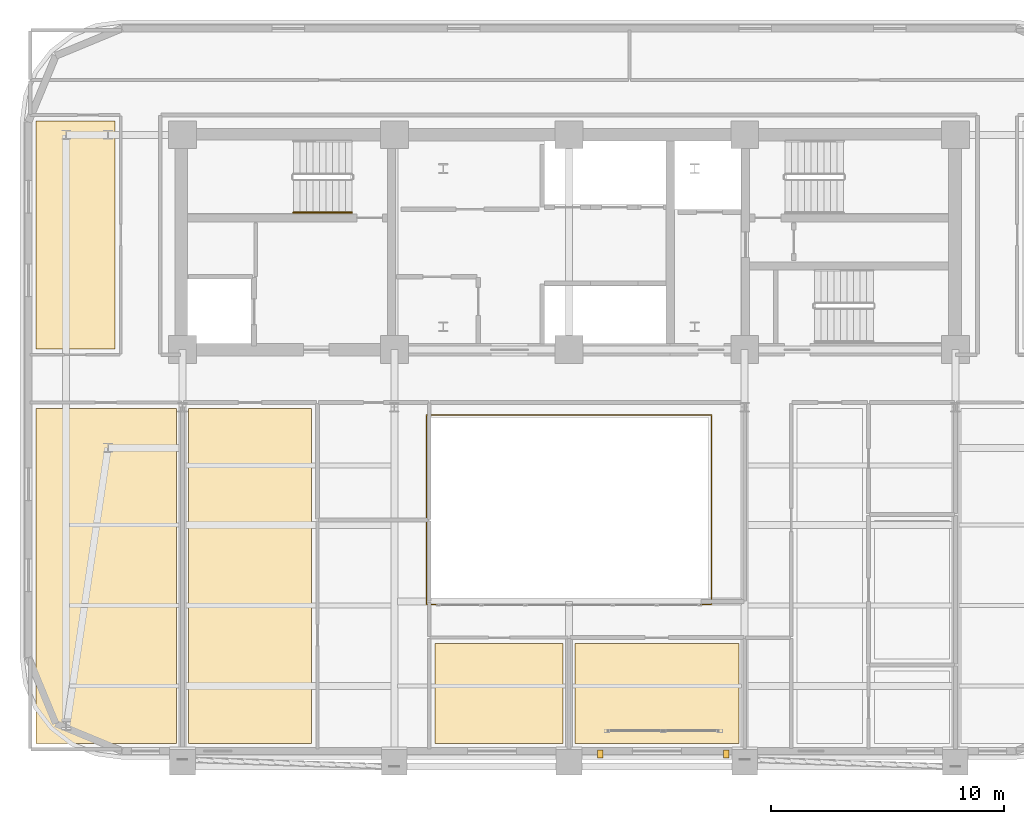
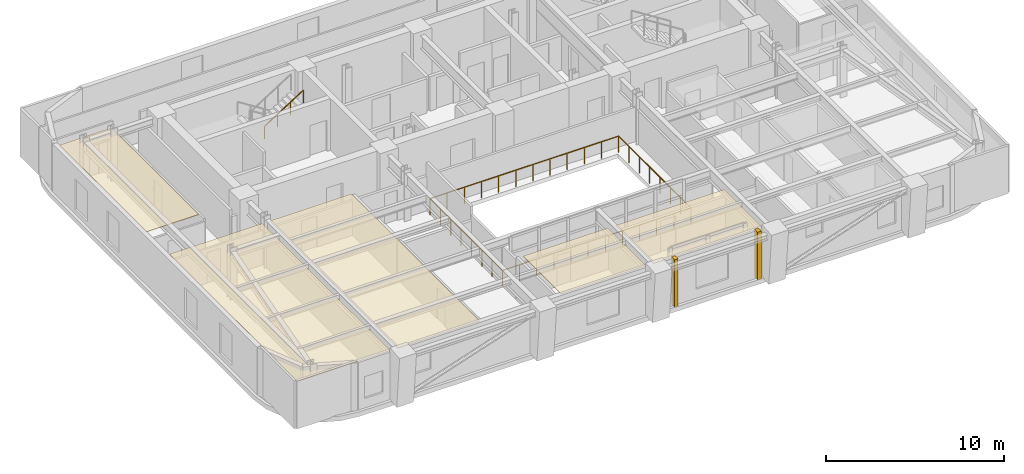
# One storey, part 10 of 13: 7 coverings, 2 railings.
"""IFC4 building model written with IfcOpenShell, lengths in metres."""

from ifc_helpers import new_model, si_unit, direction, frame, origin, origin_2d, place, context, subcontext, project, spatial, polyline, rectangle, outline, extrude, material, layer, layer_set, type_object, element, save


model = new_model("IFC4")

# Units and contexts
model_context = context("Model", 3, precision=1e-05, world=origin(), true_north=direction((0.0, 1.0)))
body_context = subcontext(model_context, "Body", "Model", "MODEL_VIEW")
ifc_project = project(units=[si_unit("LENGTHUNIT", "METRE"), si_unit("AREAUNIT", "SQUARE_METRE"), si_unit("VOLUMEUNIT", "CUBIC_METRE"), si_unit("PLANEANGLEUNIT", "RADIAN"), si_unit("MASSUNIT", "GRAM", prefix="KILO")], contexts=[model_context])

# Site, building, storey
site_placement = place(None, origin())
site = spatial("IfcSite", under=ifc_project, at=site_placement, CompositionType="ELEMENT")
building_placement = place(site_placement, origin())
building = spatial("IfcBuilding", under=site, at=building_placement, Name="Zarnavel Station Tower", CompositionType="ELEMENT")
storey_placement = place(building_placement, frame((0.0, 0.0, 176.75)))
storey = spatial("IfcBuildingStorey", under=building, at=storey_placement, Name="L48", CompositionType="ELEMENT", Elevation=176.75)

# Coverings
ifc_material_1 = material(Name="Perforated Gypsum and Mineral-Wool Acoustic Ceiling", Category="concrete")
ifc_layer = layer(ifc_material_1, 0.0400390625)
ifc_layer_set = layer_set([ifc_layer], Name="COV_CEIL_ACOUSTIC")
covering_type_1 = type_object("IfcCoveringType", Name="COV_CEIL_ACOUSTIC", PredefinedType="CEILING", material=ifc_layer_set)
covering_1_placement = place(storey_placement, frame((0.0, 0.0, 2.969970703125)))
element("IfcCovering", 1, at=covering_1_placement, inside=storey, type_object=covering_type_1, Name="L48 FNW Acoustic Ceiling", PredefinedType="CEILING", context=body_context, shape_type="SweptSolid", body=[
    extrude(outline(polyline([(5.909912109375, 27.85009765625), (9.300048828125, 27.85009765625), (9.300048828125, 37.64990234375), (5.909912109375, 37.64990234375), (5.909912109375, 27.85009765625)])), origin(), (0.0, 0.0, 1.0), 0.0400390625),
])
covering_2_placement = place(storey_placement, frame((0.0, 0.0, 2.969970703125)))
element("IfcCovering", 2, at=covering_2_placement, inside=storey, type_object=covering_type_1, Name="L48 L47SPA Acoustic Ceiling", PredefinedType="CEILING", context=body_context, shape_type="SweptSolid", body=[
    extrude(outline(polyline([(5.909912109375, 10.909912109375), (11.949951171875, 10.909912109375), (11.949951171875, 25.300048828125), (5.909912109375, 25.300048828125), (5.909912109375, 10.909912109375)])), origin(), (0.0, 0.0, 1.0), 0.0400390625),
])
covering_3_placement = place(storey_placement, frame((0.0, 0.0, 2.969970703125)))
element("IfcCovering", 3, at=covering_3_placement, inside=storey, type_object=covering_type_1, Name="L48 L47TRM Acoustic Ceiling", PredefinedType="CEILING", context=body_context, shape_type="SweptSolid", body=[
    extrude(outline(polyline([(12.449951171875, 10.909912109375), (17.75, 10.909912109375), (17.75, 25.300048828125), (12.449951171875, 25.300048828125), (12.449951171875, 10.909912109375)])), origin(), (0.0, 0.0, 1.0), 0.0400390625),
])
covering_4_placement = place(storey_placement, frame((0.0, 0.0, 2.969970703125)))
element("IfcCovering", 4, at=covering_4_placement, inside=storey, type_object=covering_type_1, Name="L48 L47DIN Acoustic Ceiling", PredefinedType="CEILING", context=body_context, shape_type="SweptSolid", body=[
    extrude(outline(polyline([(23.050048828125, 10.909912109375), (28.550048828125, 10.909912109375), (28.550048828125, 15.199951171875), (23.050048828125, 15.199951171875), (23.050048828125, 10.909912109375)])), origin(), (0.0, 0.0, 1.0), 0.0400390625),
])
covering_5_placement = place(storey_placement, frame((0.0, 0.0, 2.969970703125)))
element("IfcCovering", 5, at=covering_5_placement, inside=storey, type_object=covering_type_1, Name="L48 L47KIT Acoustic Ceiling", PredefinedType="CEILING", context=body_context, shape_type="SweptSolid", body=[
    extrude(outline(polyline([(29.050048828125, 10.909912109375), (36.10009765625, 10.909912109375), (36.10009765625, 15.199951171875), (29.050048828125, 15.199951171875), (29.050048828125, 10.909912109375)])), origin(), (0.0, 0.0, 1.0), 0.0400390625),
])
ifc_material_2 = material(Name="Precast concrete C45/55 (Pale Travertine Slab Band)", Category="masonry")
covering_type_2 = type_object("IfcCoveringType", Name="COV_TRAVERTINE_BAND", PredefinedType="CLADDING", material=ifc_material_2)
for number, where, z_axis, x_axis, name in (
    (6, (30.14990234375, 10.449951171875, 0.0), (0.0, 0.0, 1.0), (1.0, 0.0, 0.0), "L48 Travertine Portal Loggia Vertical Jog West"),
    (7, (35.550048828125, 10.449951171875, 0.0), (0.0, 0.0, 1.0), (1.0, 0.0, 0.0), "L48 Travertine Portal Loggia Vertical Jog East"),
):
    element("IfcCovering", number, at=place(storey_placement, frame(where, z_axis=z_axis, x_axis=x_axis)), inside=storey, type_object=covering_type_2, Name=name, PredefinedType="CLADDING", context=body_context, shape_type="SweptSolid", body=[
        extrude(rectangle(XDim=0.239990234375, YDim=0.360107421875, at=origin_2d()), origin(), (0.0, 0.0, 1.0), 3.2900390625),
    ])

# Railings
ifc_material_3 = material(Name="Painted Steel S355J2 Balustrade", Category="steel")
railing_type_1 = type_object("IfcRailingType", Name="GR_INT_1150", PredefinedType="GUARDRAIL", material=ifc_material_3)
railing_1_placement = place(storey_placement, frame((22.679931640625, 16.8798828125, 0.0)))
element("IfcRailing", 8, at=railing_1_placement, inside=storey, type_object=railing_type_1, Name="L48 Atrium Void Guardrail", PredefinedType="GUARDRAIL", context=body_context, shape_type="SweptSolid", body=[
    extrude(rectangle(XDim=0.048095703125, YDim=0.048095703125, at=origin_2d()), frame((0.001953125, 0.0, 1.1259765625), z_axis=(1.0, 0.0, 0.0), x_axis=(0.0, 1.0, 0.0)), (0.0, 0.0, 1.0), 12.236083984375),
    extrude(rectangle(XDim=0.048095703125, YDim=0.048095703125, at=origin_2d()), frame((12.239990234375, 0.001953125, 1.1259765625), z_axis=(0.0, 1.0, 0.0), x_axis=(-1.0, 0.0, 0.0)), (0.0, 0.0, 1.0), 8.13623046875),
    extrude(rectangle(XDim=0.048095703125, YDim=0.048095703125, at=origin_2d()), frame((12.238037109375, 8.14013671875, 1.1259765625), z_axis=(-1.0, 0.0, 0.0), x_axis=(0.0, -1.0, 0.0)), (0.0, 0.0, 1.0), 12.236083984375),
    extrude(rectangle(XDim=0.048095703125, YDim=0.048095703125, at=origin_2d()), frame((0.0, 8.13818359375, 1.1259765625), z_axis=(0.0, -1.0, 0.0), x_axis=(1.0, 0.0, 0.0)), (0.0, 0.0, 1.0), 8.13623046875),
    extrude(rectangle(XDim=0.0419921875, YDim=0.0419921875, at=origin_2d()), origin(), (0.0, 0.0, 1.0), 1.101806640625),
    extrude(rectangle(XDim=0.0419921875, YDim=0.0419921875, at=origin_2d()), frame((1.11279296875, 0.0, 0.0)), (0.0, 0.0, 1.0), 1.101806640625),
    extrude(rectangle(XDim=0.0419921875, YDim=0.0419921875, at=origin_2d()), frame((2.225341796875, 0.0, 0.0)), (0.0, 0.0, 1.0), 1.101806640625),
    extrude(rectangle(XDim=0.0419921875, YDim=0.0419921875, at=origin_2d()), frame((3.338134765625, 0.0, 0.0)), (0.0, 0.0, 1.0), 1.101806640625),
    extrude(rectangle(XDim=0.0419921875, YDim=0.0419921875, at=origin_2d()), frame((4.450927734375, 0.0, 0.0)), (0.0, 0.0, 1.0), 1.101806640625),
    extrude(rectangle(XDim=0.0419921875, YDim=0.0419921875, at=origin_2d()), frame((5.563720703125, 0.0, 0.0)), (0.0, 0.0, 1.0), 1.101806640625),
    extrude(rectangle(XDim=0.0419921875, YDim=0.0419921875, at=origin_2d()), frame((6.67626953125, 0.0, 0.0)), (0.0, 0.0, 1.0), 1.101806640625),
    extrude(rectangle(XDim=0.0419921875, YDim=0.0419921875, at=origin_2d()), frame((7.7890625, 0.0, 0.0)), (0.0, 0.0, 1.0), 1.101806640625),
    extrude(rectangle(XDim=0.0419921875, YDim=0.0419921875, at=origin_2d()), frame((8.90185546875, 0.0, 0.0)), (0.0, 0.0, 1.0), 1.101806640625),
    extrude(rectangle(XDim=0.0419921875, YDim=0.0419921875, at=origin_2d()), frame((10.0146484375, 0.0, 0.0)), (0.0, 0.0, 1.0), 1.101806640625),
    extrude(rectangle(XDim=0.0419921875, YDim=0.0419921875, at=origin_2d()), frame((11.127197265625, 0.0, 0.0)), (0.0, 0.0, 1.0), 1.101806640625),
    extrude(rectangle(XDim=0.0419921875, YDim=0.0419921875, at=origin_2d()), frame((12.239990234375, 0.0, 0.0)), (0.0, 0.0, 1.0), 1.101806640625),
    extrude(rectangle(XDim=0.0419921875, YDim=0.0419921875, at=origin_2d()), frame((12.239990234375, 1.162841796875, 0.0)), (0.0, 0.0, 1.0), 1.101806640625),
    extrude(rectangle(XDim=0.0419921875, YDim=0.0419921875, at=origin_2d()), frame((12.239990234375, 2.32568359375, 0.0)), (0.0, 0.0, 1.0), 1.101806640625),
    extrude(rectangle(XDim=0.0419921875, YDim=0.0419921875, at=origin_2d()), frame((12.239990234375, 3.488525390625, 0.0)), (0.0, 0.0, 1.0), 1.101806640625),
    extrude(rectangle(XDim=0.0419921875, YDim=0.0419921875, at=origin_2d()), frame((12.239990234375, 4.651611328125, 0.0)), (0.0, 0.0, 1.0), 1.101806640625),
    extrude(rectangle(XDim=0.0419921875, YDim=0.0419921875, at=origin_2d()), frame((12.239990234375, 5.814453125, 0.0)), (0.0, 0.0, 1.0), 1.101806640625),
    extrude(rectangle(XDim=0.0419921875, YDim=0.0419921875, at=origin_2d()), frame((12.239990234375, 6.977294921875, 0.0)), (0.0, 0.0, 1.0), 1.101806640625),
    extrude(rectangle(XDim=0.0419921875, YDim=0.0419921875, at=origin_2d()), frame((12.239990234375, 8.14013671875, 0.0)), (0.0, 0.0, 1.0), 1.101806640625),
    extrude(rectangle(XDim=0.0419921875, YDim=0.0419921875, at=origin_2d()), frame((11.127197265625, 8.14013671875, 0.0)), (0.0, 0.0, 1.0), 1.101806640625),
    extrude(rectangle(XDim=0.0419921875, YDim=0.0419921875, at=origin_2d()), frame((10.0146484375, 8.14013671875, 0.0)), (0.0, 0.0, 1.0), 1.101806640625),
    extrude(rectangle(XDim=0.0419921875, YDim=0.0419921875, at=origin_2d()), frame((8.90185546875, 8.14013671875, 0.0)), (0.0, 0.0, 1.0), 1.101806640625),
    extrude(rectangle(XDim=0.0419921875, YDim=0.0419921875, at=origin_2d()), frame((7.7890625, 8.14013671875, 0.0)), (0.0, 0.0, 1.0), 1.101806640625),
    extrude(rectangle(XDim=0.0419921875, YDim=0.0419921875, at=origin_2d()), frame((6.67626953125, 8.14013671875, 0.0)), (0.0, 0.0, 1.0), 1.101806640625),
    extrude(rectangle(XDim=0.0419921875, YDim=0.0419921875, at=origin_2d()), frame((5.563720703125, 8.14013671875, 0.0)), (0.0, 0.0, 1.0), 1.101806640625),
    extrude(rectangle(XDim=0.0419921875, YDim=0.0419921875, at=origin_2d()), frame((4.450927734375, 8.14013671875, 0.0)), (0.0, 0.0, 1.0), 1.101806640625),
    extrude(rectangle(XDim=0.0419921875, YDim=0.0419921875, at=origin_2d()), frame((3.338134765625, 8.14013671875, 0.0)), (0.0, 0.0, 1.0), 1.101806640625),
    extrude(rectangle(XDim=0.0419921875, YDim=0.0419921875, at=origin_2d()), frame((2.225341796875, 8.14013671875, 0.0)), (0.0, 0.0, 1.0), 1.101806640625),
    extrude(rectangle(XDim=0.0419921875, YDim=0.0419921875, at=origin_2d()), frame((1.11279296875, 8.14013671875, 0.0)), (0.0, 0.0, 1.0), 1.101806640625),
    extrude(rectangle(XDim=0.0419921875, YDim=0.0419921875, at=origin_2d()), frame((0.0, 8.14013671875, 0.0)), (0.0, 0.0, 1.0), 1.101806640625),
    extrude(rectangle(XDim=0.0419921875, YDim=0.0419921875, at=origin_2d()), frame((0.0, 6.977294921875, 0.0)), (0.0, 0.0, 1.0), 1.101806640625),
    extrude(rectangle(XDim=0.0419921875, YDim=0.0419921875, at=origin_2d()), frame((0.0, 5.814453125, 0.0)), (0.0, 0.0, 1.0), 1.101806640625),
    extrude(rectangle(XDim=0.0419921875, YDim=0.0419921875, at=origin_2d()), frame((0.0, 4.651611328125, 0.0)), (0.0, 0.0, 1.0), 1.101806640625),
    extrude(rectangle(XDim=0.0419921875, YDim=0.0419921875, at=origin_2d()), frame((0.0, 3.488525390625, 0.0)), (0.0, 0.0, 1.0), 1.101806640625),
    extrude(rectangle(XDim=0.0419921875, YDim=0.0419921875, at=origin_2d()), frame((0.0, 2.32568359375, 0.0)), (0.0, 0.0, 1.0), 1.101806640625),
    extrude(rectangle(XDim=0.0419921875, YDim=0.0419921875, at=origin_2d()), frame((0.0, 1.162841796875, 0.0)), (0.0, 0.0, 1.0), 1.101806640625),
])
ifc_material_4 = material(Name="Brushed Stainless Steel S355J2 Handrail", Category="steel")
railing_type_2 = type_object("IfcRailingType", Name="HR_STAIR_900", PredefinedType="HANDRAIL", material=ifc_material_4)
railing_2_placement = place(storey_placement, frame((16.9599609375, 33.7099609375, 1.952392578125)))
element("IfcRailing", 9, at=railing_2_placement, inside=storey, type_object=railing_type_2, Name="L48 ST1 stair handrail 2", PredefinedType="HANDRAIL", context=body_context, shape_type="SweptSolid", body=[
    extrude(rectangle(XDim=0.048095703125, YDim=0.048095703125, at=origin_2d()), frame((0.001708984375, 0.0, 0.876953125), z_axis=(0.84456994832, 0.0, 0.535445237532), x_axis=(0.0, 1.0, 0.0)), (0.0, 0.0, 1.0), 2.979736328125),
    extrude(rectangle(XDim=0.0419921875, YDim=0.0419921875, at=origin_2d()), origin(), (0.0, 0.0, 1.0), 0.851806640625),
    extrude(rectangle(XDim=0.0419921875, YDim=0.0419921875, at=origin_2d()), frame((0.840087890625, 0.0, 0.532470703125)), (0.0, 0.0, 1.0), 0.851806640625),
    extrude(rectangle(XDim=0.0419921875, YDim=0.0419921875, at=origin_2d()), frame((1.679931640625, 0.0, 1.065185546875)), (0.0, 0.0, 1.0), 0.851806640625),
    extrude(rectangle(XDim=0.0419921875, YDim=0.0419921875, at=origin_2d()), frame((2.52001953125, 0.0, 1.59765625)), (0.0, 0.0, 1.0), 0.851806640625),
])

save(model, "model.ifc")
